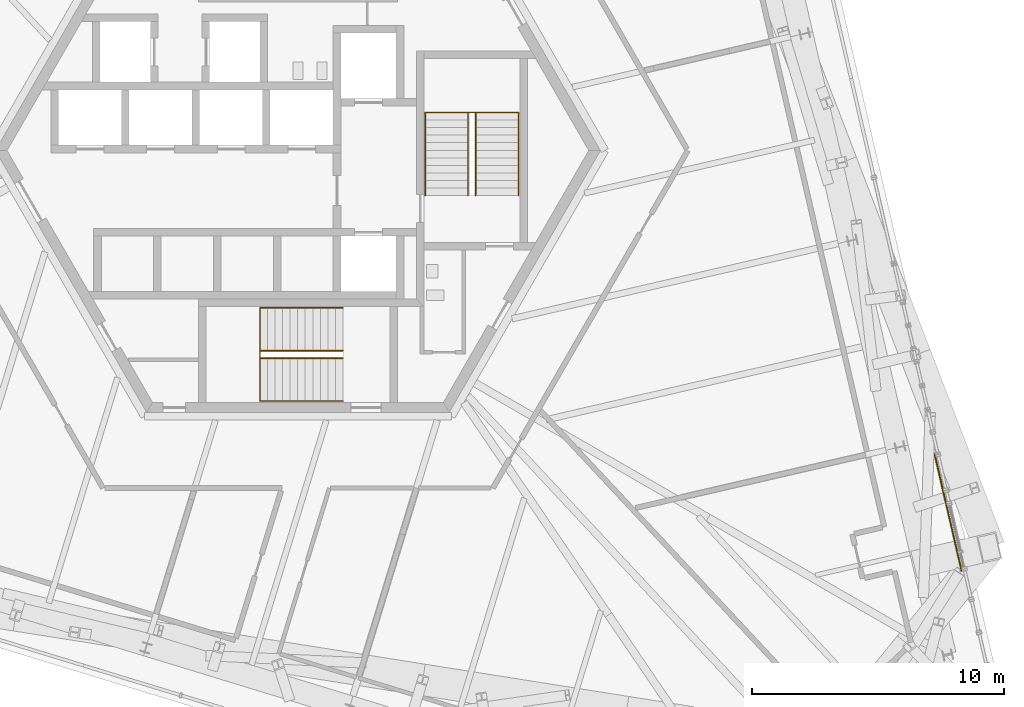
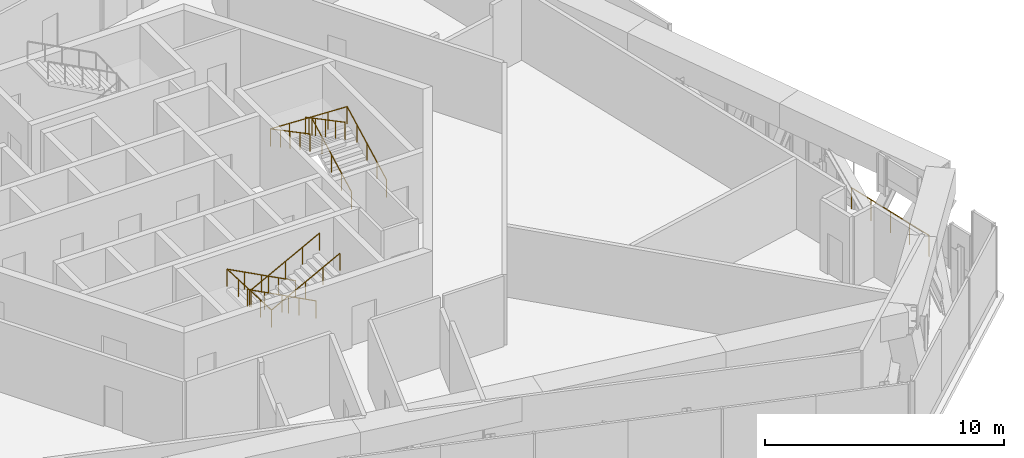
# One storey, part 29 of 31: 5 railings.
"""IFC4 building model written with IfcOpenShell, lengths in metres."""

from ifc_helpers import new_model, si_unit, direction, frame, origin, origin_2d, place, context, subcontext, project, spatial, circle, extrude, source, transform, mapped, material, type_object, element, save


model = new_model("IFC4")

# Units and contexts
model_context = context("Model", 3, precision=1e-05, world=origin(), true_north=direction((0.0, 1.0)))
body_context = subcontext(model_context, "Body", "Model", "MODEL_VIEW")
ifc_project = project(units=[si_unit("LENGTHUNIT", "METRE"), si_unit("AREAUNIT", "SQUARE_METRE"), si_unit("VOLUMEUNIT", "CUBIC_METRE"), si_unit("PLANEANGLEUNIT", "RADIAN"), si_unit("MASSUNIT", "GRAM", prefix="KILO")], contexts=[model_context])

# Site, building, storey
site_placement = place(None, origin())
site = spatial("IfcSite", under=ifc_project, at=site_placement, CompositionType="ELEMENT")
building_placement = place(site_placement, origin())
building = spatial("IfcBuilding", under=site, at=building_placement, Name="Triune Harvest Tower", CompositionType="ELEMENT")
storey_placement = place(building_placement, frame((0.0, 0.0, 134.300048828125)))
storey = spatial("IfcBuildingStorey", under=building, at=storey_placement, Name="L34", CompositionType="ELEMENT", Elevation=134.300048828125)

# Railings
ifc_material_1 = material(Name="Glass", Category="glass")
railing_type_1 = type_object("IfcRailingType", Name="GD-3 facade guard 1100", PredefinedType="GUARDRAIL", material=ifc_material_1)
railing_1_placement = place(storey_placement, frame((26.323486328125, -16.663818359375, 0.0)))
element("IfcRailing", 1, at=railing_1_placement, inside=storey, type_object=railing_type_1, Name="Facade guard B3-F1 L34.1.1", PredefinedType="GUARDRAIL", context=body_context, shape_type="SweptSolid", body=[
    extrude(circle(Radius=0.02392578125, at=origin_2d()), frame((0.0, 0.0, 1.076171875), z_axis=(-0.224945912991, 0.974371251746, 0.0), x_axis=(-0.974371251746, -0.224945912991, 0.0)), (0.0, 0.0, 1.0), 4.74609375),
    extrude(circle(Radius=0.02099609375, at=origin_2d()), origin(), (0.0, 0.0, 1.0), 1.052001953125),
    extrude(circle(Radius=0.02099609375, at=origin_2d()), frame((-0.266845703125, 1.15625, 0.0)), (0.0, 0.0, 1.0), 1.052001953125),
    extrude(circle(Radius=0.02099609375, at=origin_2d()), frame((-0.53369140625, 2.312255859375, 0.0)), (0.0, 0.0, 1.0), 1.052001953125),
    extrude(circle(Radius=0.02099609375, at=origin_2d()), frame((-0.80078125, 3.46826171875, 0.0)), (0.0, 0.0, 1.0), 1.052001953125),
    extrude(circle(Radius=0.02099609375, at=origin_2d()), frame((-1.067626953125, 4.62451171875, 0.0)), (0.0, 0.0, 1.0), 1.052001953125),
])
ifc_material_2 = material(Name="Stainless steel AISI 316", Category="steel")
railing_type_2 = type_object("IfcRailingType", Name="Stair handrail", PredefinedType="HANDRAIL", material=ifc_material_2)
shared_shape_1 = source(origin(), body_context, "Body", "SweptSolid", [
    extrude(circle(Radius=0.02392578125, at=origin_2d()), frame((0.0, 0.0, 0.8759765625), z_axis=(-0.884384002621, 0.0, 0.466760041037), x_axis=(0.0, -1.0, 0.0)), (0.0, 0.0, 1.0), 3.7314453125),
    extrude(circle(Radius=0.02392578125, at=origin_2d()), frame((-3.300048828125, 0.0, 2.61767578125), z_axis=(0.0, -0.999084305352, 0.0427849366), x_axis=(1.0, 0.0, 0.0)), (0.0, 0.0, 1.0), 3.703369140625),
    extrude(circle(Radius=0.02392578125, at=origin_2d()), frame((-3.300048828125, -3.699951171875, 2.77587890625), z_axis=(0.884384002621, 0.0, 0.466760041037), x_axis=(0.0, 1.0, 0.0)), (0.0, 0.0, 1.0), 3.7314453125),
    extrude(circle(Radius=0.02099609375, at=origin_2d()), origin(), (0.0, 0.0, 1.0), 0.851806640625),
    extrude(circle(Radius=0.02099609375, at=origin_2d()), frame((-0.824951171875, 0.0, 0.435546875)), (0.0, 0.0, 1.0), 0.851806640625),
    extrude(circle(Radius=0.02099609375, at=origin_2d()), frame((-1.64990234375, 0.0, 0.870849609375)), (0.0, 0.0, 1.0), 0.851806640625),
    extrude(circle(Radius=0.02099609375, at=origin_2d()), frame((-2.47509765625, 0.0, 1.30615234375)), (0.0, 0.0, 1.0), 0.851806640625),
    extrude(circle(Radius=0.02099609375, at=origin_2d()), frame((-3.300048828125, 0.0, 1.74169921875)), (0.0, 0.0, 1.0), 0.851806640625),
    extrude(circle(Radius=0.02099609375, at=origin_2d()), frame((-3.300048828125, -0.925048828125, 1.78125)), (0.0, 0.0, 1.0), 0.851806640625),
    extrude(circle(Radius=0.02099609375, at=origin_2d()), frame((-3.300048828125, -1.85009765625, 1.82080078125)), (0.0, 0.0, 1.0), 0.851806640625),
    extrude(circle(Radius=0.02099609375, at=origin_2d()), frame((-3.300048828125, -2.77490234375, 1.860595703125)), (0.0, 0.0, 1.0), 0.851806640625),
    extrude(circle(Radius=0.02099609375, at=origin_2d()), frame((-3.300048828125, -3.699951171875, 1.900146484375)), (0.0, 0.0, 1.0), 0.851806640625),
    extrude(circle(Radius=0.02099609375, at=origin_2d()), frame((-2.47509765625, -3.699951171875, 2.33544921875)), (0.0, 0.0, 1.0), 0.851806640625),
    extrude(circle(Radius=0.02099609375, at=origin_2d()), frame((-1.64990234375, -3.699951171875, 2.77099609375)), (0.0, 0.0, 1.0), 0.851806640625),
    extrude(circle(Radius=0.02099609375, at=origin_2d()), frame((-0.824951171875, -3.699951171875, 3.20654296875)), (0.0, 0.0, 1.0), 0.851806640625),
    extrude(circle(Radius=0.02099609375, at=origin_2d()), frame((0.0, -3.699951171875, 3.641845703125)), (0.0, 0.0, 1.0), 0.851806640625),
])
railing_2_placement = place(storey_placement, frame((1.7900390625, -6.239990234375, 0.158203125)))
element("IfcRailing", 2, at=railing_2_placement, inside=storey, type_object=railing_type_2, Name="Exit stair south wall handrail", PredefinedType="HANDRAIL", context=body_context, shape_type="MappedRepresentation", body=[
    mapped(shared_shape_1, transform((0.0, 0.0, 0.0), scale=1.0)),
])
shared_shape_2 = source(origin(), body_context, "Body", "SweptSolid", [
    extrude(circle(Radius=0.02392578125, at=origin_2d()), frame((0.0, 0.0, 0.8759765625), z_axis=(-0.884384002621, 0.0, 0.466760041037), x_axis=(0.0, -1.0, 0.0)), (0.0, 0.0, 1.0), 3.7314453125),
    extrude(circle(Radius=0.02392578125, at=origin_2d()), frame((-3.300048828125, 0.0, 2.61767578125), z_axis=(0.0, -0.884277476085, 0.46696182423), x_axis=(1.0, 0.0, 0.0)), (0.0, 0.0, 1.0), 0.33935546875),
    extrude(circle(Radius=0.02392578125, at=origin_2d()), frame((-3.300048828125, -0.300048828125, 2.77587890625), z_axis=(0.884384002621, 0.0, 0.466760041037), x_axis=(0.0, 1.0, 0.0)), (0.0, 0.0, 1.0), 3.7314453125),
    extrude(circle(Radius=0.02099609375, at=origin_2d()), origin(), (0.0, 0.0, 1.0), 0.851806640625),
    extrude(circle(Radius=0.02099609375, at=origin_2d()), frame((-0.824951171875, 0.0, 0.435546875)), (0.0, 0.0, 1.0), 0.851806640625),
    extrude(circle(Radius=0.02099609375, at=origin_2d()), frame((-1.64990234375, 0.0, 0.870849609375)), (0.0, 0.0, 1.0), 0.851806640625),
    extrude(circle(Radius=0.02099609375, at=origin_2d()), frame((-2.47509765625, 0.0, 1.30615234375)), (0.0, 0.0, 1.0), 0.851806640625),
    extrude(circle(Radius=0.02099609375, at=origin_2d()), frame((-3.300048828125, 0.0, 1.74169921875)), (0.0, 0.0, 1.0), 0.851806640625),
    extrude(circle(Radius=0.02099609375, at=origin_2d()), frame((-3.300048828125, -0.300048828125, 1.900146484375)), (0.0, 0.0, 1.0), 0.851806640625),
    extrude(circle(Radius=0.02099609375, at=origin_2d()), frame((-2.47509765625, -0.300048828125, 2.33544921875)), (0.0, 0.0, 1.0), 0.851806640625),
    extrude(circle(Radius=0.02099609375, at=origin_2d()), frame((-1.64990234375, -0.300048828125, 2.77099609375)), (0.0, 0.0, 1.0), 0.851806640625),
    extrude(circle(Radius=0.02099609375, at=origin_2d()), frame((-0.824951171875, -0.300048828125, 3.20654296875)), (0.0, 0.0, 1.0), 0.851806640625),
    extrude(circle(Radius=0.02099609375, at=origin_2d()), frame((0.0, -0.300048828125, 3.641845703125)), (0.0, 0.0, 1.0), 0.851806640625),
])
railing_3_placement = place(storey_placement, frame((1.7900390625, -7.93994140625, 0.158203125)))
element("IfcRailing", 3, at=railing_3_placement, inside=storey, type_object=railing_type_2, Name="Exit stair south centre handrail", PredefinedType="HANDRAIL", context=body_context, shape_type="MappedRepresentation", body=[
    mapped(shared_shape_2, transform((0.0, 0.0, 0.0), scale=1.0)),
])
shared_shape_3 = source(origin(), body_context, "Body", "SweptSolid", [
    extrude(circle(Radius=0.02392578125, at=origin_2d()), frame((0.0, 0.0, 0.8759765625), z_axis=(0.0, 0.884384002621, 0.466760041037), x_axis=(-1.0, 0.0, 0.0)), (0.0, 0.0, 1.0), 3.7314453125),
    extrude(circle(Radius=0.02392578125, at=origin_2d()), frame((0.0, 3.300048828125, 2.61767578125), z_axis=(-0.999084305352, 0.0, 0.0427849366), x_axis=(0.0, -1.0, 0.0)), (0.0, 0.0, 1.0), 3.703369140625),
    extrude(circle(Radius=0.02392578125, at=origin_2d()), frame((-3.699951171875, 3.300048828125, 2.77587890625), z_axis=(0.0, -0.884384002621, 0.466760041037), x_axis=(1.0, 0.0, 0.0)), (0.0, 0.0, 1.0), 3.7314453125),
    extrude(circle(Radius=0.02099609375, at=origin_2d()), origin(), (0.0, 0.0, 1.0), 0.851806640625),
    extrude(circle(Radius=0.02099609375, at=origin_2d()), frame((0.0, 0.824951171875, 0.435546875)), (0.0, 0.0, 1.0), 0.851806640625),
    extrude(circle(Radius=0.02099609375, at=origin_2d()), frame((0.0, 1.64990234375, 0.870849609375)), (0.0, 0.0, 1.0), 0.851806640625),
    extrude(circle(Radius=0.02099609375, at=origin_2d()), frame((0.0, 2.47509765625, 1.30615234375)), (0.0, 0.0, 1.0), 0.851806640625),
    extrude(circle(Radius=0.02099609375, at=origin_2d()), frame((0.0, 3.300048828125, 1.74169921875)), (0.0, 0.0, 1.0), 0.851806640625),
    extrude(circle(Radius=0.02099609375, at=origin_2d()), frame((-0.925048828125, 3.300048828125, 1.78125)), (0.0, 0.0, 1.0), 0.851806640625),
    extrude(circle(Radius=0.02099609375, at=origin_2d()), frame((-1.85009765625, 3.300048828125, 1.82080078125)), (0.0, 0.0, 1.0), 0.851806640625),
    extrude(circle(Radius=0.02099609375, at=origin_2d()), frame((-2.77490234375, 3.300048828125, 1.860595703125)), (0.0, 0.0, 1.0), 0.851806640625),
    extrude(circle(Radius=0.02099609375, at=origin_2d()), frame((-3.699951171875, 3.300048828125, 1.900146484375)), (0.0, 0.0, 1.0), 0.851806640625),
    extrude(circle(Radius=0.02099609375, at=origin_2d()), frame((-3.699951171875, 2.47509765625, 2.33544921875)), (0.0, 0.0, 1.0), 0.851806640625),
    extrude(circle(Radius=0.02099609375, at=origin_2d()), frame((-3.699951171875, 1.64990234375, 2.77099609375)), (0.0, 0.0, 1.0), 0.851806640625),
    extrude(circle(Radius=0.02099609375, at=origin_2d()), frame((-3.699951171875, 0.824951171875, 3.20654296875)), (0.0, 0.0, 1.0), 0.851806640625),
    extrude(circle(Radius=0.02099609375, at=origin_2d()), frame((-3.699951171875, 0.0, 3.641845703125)), (0.0, 0.0, 1.0), 0.851806640625),
])
railing_4_placement = place(storey_placement, frame((8.75, -1.7900390625, 0.158203125)))
element("IfcRailing", 4, at=railing_4_placement, inside=storey, type_object=railing_type_2, Name="Exit stair east wall handrail", PredefinedType="HANDRAIL", context=body_context, shape_type="MappedRepresentation", body=[
    mapped(shared_shape_3, transform((0.0, 0.0, 0.0), scale=1.0)),
])
shared_shape_4 = source(origin(), body_context, "Body", "SweptSolid", [
    extrude(circle(Radius=0.02392578125, at=origin_2d()), frame((0.0, 0.0, 0.8759765625), z_axis=(0.0, 0.884384002621, 0.466760041037), x_axis=(-1.0, 0.0, 0.0)), (0.0, 0.0, 1.0), 3.7314453125),
    extrude(circle(Radius=0.02392578125, at=origin_2d()), frame((0.0, 3.300048828125, 2.61767578125), z_axis=(-0.884277476085, 0.0, 0.46696182423), x_axis=(0.0, -1.0, 0.0)), (0.0, 0.0, 1.0), 0.33935546875),
    extrude(circle(Radius=0.02392578125, at=origin_2d()), frame((-0.300048828125, 3.300048828125, 2.77587890625), z_axis=(0.0, -0.884384002621, 0.466760041037), x_axis=(1.0, 0.0, 0.0)), (0.0, 0.0, 1.0), 3.7314453125),
    extrude(circle(Radius=0.02099609375, at=origin_2d()), origin(), (0.0, 0.0, 1.0), 0.851806640625),
    extrude(circle(Radius=0.02099609375, at=origin_2d()), frame((0.0, 0.824951171875, 0.435546875)), (0.0, 0.0, 1.0), 0.851806640625),
    extrude(circle(Radius=0.02099609375, at=origin_2d()), frame((0.0, 1.64990234375, 0.870849609375)), (0.0, 0.0, 1.0), 0.851806640625),
    extrude(circle(Radius=0.02099609375, at=origin_2d()), frame((0.0, 2.47509765625, 1.30615234375)), (0.0, 0.0, 1.0), 0.851806640625),
    extrude(circle(Radius=0.02099609375, at=origin_2d()), frame((0.0, 3.300048828125, 1.74169921875)), (0.0, 0.0, 1.0), 0.851806640625),
    extrude(circle(Radius=0.02099609375, at=origin_2d()), frame((-0.300048828125, 3.300048828125, 1.900146484375)), (0.0, 0.0, 1.0), 0.851806640625),
    extrude(circle(Radius=0.02099609375, at=origin_2d()), frame((-0.300048828125, 2.47509765625, 2.33544921875)), (0.0, 0.0, 1.0), 0.851806640625),
    extrude(circle(Radius=0.02099609375, at=origin_2d()), frame((-0.300048828125, 1.64990234375, 2.77099609375)), (0.0, 0.0, 1.0), 0.851806640625),
    extrude(circle(Radius=0.02099609375, at=origin_2d()), frame((-0.300048828125, 0.824951171875, 3.20654296875)), (0.0, 0.0, 1.0), 0.851806640625),
    extrude(circle(Radius=0.02099609375, at=origin_2d()), frame((-0.300048828125, 0.0, 3.641845703125)), (0.0, 0.0, 1.0), 0.851806640625),
])
railing_5_placement = place(storey_placement, frame((7.050048828125, -1.7900390625, 0.158203125)))
element("IfcRailing", 5, at=railing_5_placement, inside=storey, type_object=railing_type_2, Name="Exit stair east centre handrail", PredefinedType="HANDRAIL", context=body_context, shape_type="MappedRepresentation", body=[
    mapped(shared_shape_4, transform((0.0, 0.0, 0.0), scale=1.0)),
])

save(model, "model.ifc")
